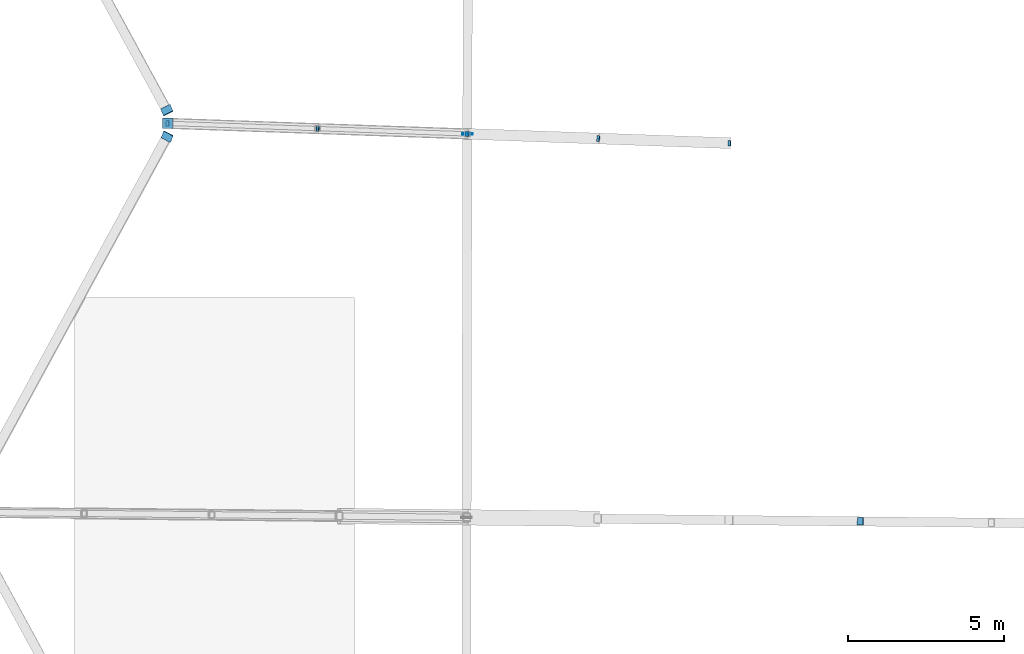
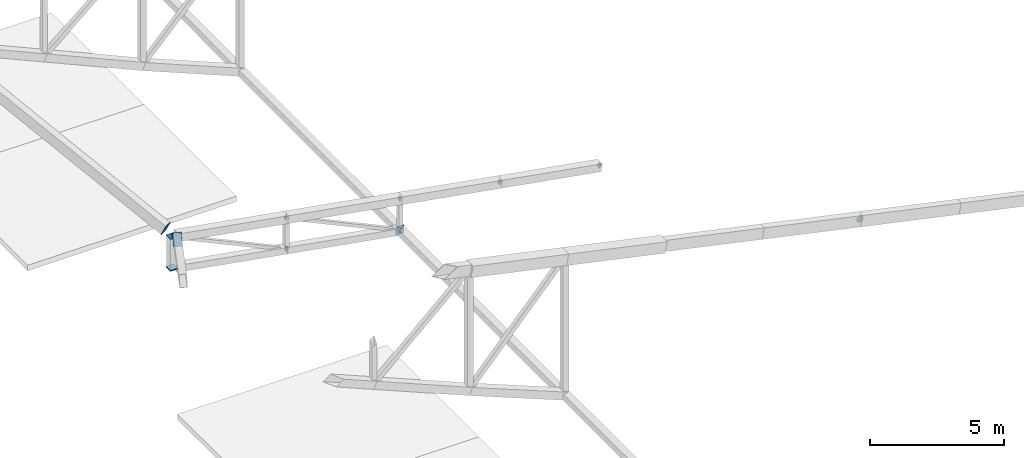
# One storey, part 138 of 188: 15 discrete accessories.
"""IFC4 building model written with IfcOpenShell, lengths in metres."""

import ifcopenshell
import ifcopenshell.guid

model = None  # the IFC model being written
_history = None  # IfcOwnerHistory: only IFC2X3 demands one
_inside = {}  # id of a spatial element -> (the spatial element, [elements in it])
_under = {}  # id of a project, library or spatial element -> (it, [spatial elements below it])
_declared = {}  # id of a project -> (the project, [libraries it declares])
_typed = {}  # id of a type object -> (the type object, [elements of that type])
_made_of = {}  # id of a material, layer set ... -> (it, [elements and type objects made of it])


def new_model(schema):
    """Start an empty IFC model of exactly this schema.

    Asked for "IFC4X3", IfcOpenShell would pick the latest addendum, in which some entities
    have other attributes; the version numbers below select the first issue.
    IFC2X3 requires an IfcOwnerHistory on every rooted entity: one is made here for all.
    """
    global model, _history
    if schema == "IFC4X3":
        model = ifcopenshell.file(schema_version=(4, 3, 0, 0))
    else:
        model = ifcopenshell.file(schema=schema)
    _inside.clear()
    _under.clear()
    _declared.clear()
    _typed.clear()
    _made_of.clear()
    _history = None
    if model.schema == "IFC2X3":
        org = make("IfcOrganization", Name="unknown")
        user = make(
            "IfcPersonAndOrganization",
            ThePerson=make("IfcPerson", FamilyName="unknown"),
            TheOrganization=org,
        )
        app = make(
            "IfcApplication",
            ApplicationDeveloper=org,
            Version="unknown",
            ApplicationFullName="unknown",
            ApplicationIdentifier="unknown",
        )
        _history = make(
            "IfcOwnerHistory",
            OwningUser=user,
            OwningApplication=app,
            ChangeAction="ADDED",
            CreationDate=0,
        )
    return model


def make(cls, **values):
    """One entity of the class cls with the attributes given. An attribute that is None is left unset."""
    return model.create_entity(
        cls, **{name: value for name, value in values.items() if value is not None}
    )


def rooted(cls, **values):
    """An entity with a GlobalId (a new one), such as an element, a storey or a relation."""
    return make(cls, GlobalId=ifcopenshell.guid.new(), OwnerHistory=_history, **values)


def si_unit(unit_type, name, prefix=None):
    """IfcSIUnit, for example si_unit("LENGTHUNIT", "METRE", prefix="MILLI")."""
    return make("IfcSIUnit", UnitType=unit_type, Prefix=prefix, Name=name)


def assignment(units):
    """IfcUnitAssignment: the units of a project."""
    return None if units is None else make("IfcUnitAssignment", Units=units)


def point(xyz):
    """IfcCartesianPoint."""
    return None if xyz is None else make("IfcCartesianPoint", Coordinates=xyz)


def direction(xyz):
    """IfcDirection."""
    return None if xyz is None else make("IfcDirection", DirectionRatios=xyz)


def frame(location, z_axis=None, x_axis=None):
    """IfcAxis2Placement3D, a coordinate frame: its origin and axes. An axis left out is left unset."""
    return make(
        "IfcAxis2Placement3D",
        Location=point(location),
        Axis=direction(z_axis),
        RefDirection=direction(x_axis),
    )


def frame_2d(location, x_axis=None):
    """IfcAxis2Placement2D, a coordinate frame in the plane: its origin and x axis."""
    return make(
        "IfcAxis2Placement2D", Location=point(location), RefDirection=direction(x_axis)
    )


def origin():
    """The frame at (0, 0, 0) with its axes left unset."""
    return frame((0.0, 0.0, 0.0))


def origin_2d():
    """The frame at (0, 0) in the plane with its x axis left unset."""
    return frame_2d((0.0, 0.0))


def place(relative_to, where):
    """IfcLocalPlacement: puts the frame where relative to a parent placement (None: the world)."""
    return make(
        "IfcLocalPlacement", PlacementRelTo=relative_to, RelativePlacement=where
    )


def context(
    kind, dimensions, precision=None, world=None, true_north=None, identifier=None
):
    """IfcGeometricRepresentationContext, for example the 3D "Model" context."""
    return make(
        "IfcGeometricRepresentationContext",
        ContextIdentifier=identifier,
        ContextType=kind,
        CoordinateSpaceDimension=dimensions,
        Precision=precision,
        WorldCoordinateSystem=world,
        TrueNorth=true_north,
    )


def subcontext(parent, identifier, kind, view, scale=None):
    """IfcGeometricRepresentationSubContext, for example "Body" below "Model"."""
    return make(
        "IfcGeometricRepresentationSubContext",
        ContextIdentifier=identifier,
        ContextType=kind,
        ParentContext=parent,
        TargetScale=scale,
        TargetView=view,
    )


def project(units=None, contexts=None):
    """IfcProject with its units and contexts."""
    return rooted(
        "IfcProject",
        Name="project",
        RepresentationContexts=contexts,
        UnitsInContext=assignment(units),
    )


def spatial(cls, under=None, at=None, **own):
    """A site, building, storey or space (cls), placed at a placement, below another one or the project."""
    s = rooted(cls, ObjectPlacement=at, **own)
    if under is not None:
        _under.setdefault(under.id(), (under, []))[1].append(s)
    return s


def profile(cls, at=None, kind="AREA", **sizes):
    """A parametric profile (cls). Its sizes go by their IFC names, for example OverallWidth=200.0."""
    return make(cls, ProfileType=kind, Position=at, **sizes)


def rectangle(**sizes):
    """IfcRectangleProfileDef."""
    return profile("IfcRectangleProfileDef", **sizes)


def extrude(swept, where, along, depth):
    """IfcExtrudedAreaSolid: the profile swept, set in the frame where, extruded along a direction by depth."""
    return make(
        "IfcExtrudedAreaSolid",
        SweptArea=swept,
        Position=where,
        ExtrudedDirection=direction(along),
        Depth=depth,
    )


def shape(context_of_items, identifier, shape_type, items):
    """IfcShapeRepresentation: the items that make up one representation, for example the "Body"."""
    return make(
        "IfcShapeRepresentation",
        ContextOfItems=context_of_items,
        RepresentationIdentifier=identifier,
        RepresentationType=shape_type,
        Items=items,
    )


def material(Name=None, Category=None):
    """IfcMaterial."""
    return make("IfcMaterial", Name=Name, Category=Category)


def material_profile(
    of_material, cross_section, Name=None, Category=None, Priority=None
):
    """IfcMaterialProfile: a cross section and its material."""
    return make(
        "IfcMaterialProfile",
        Name=Name,
        Material=of_material,
        Profile=cross_section,
        Priority=Priority,
        Category=Category,
    )


def profile_set(profiles, Name=None, composite=None):
    """IfcMaterialProfileSet."""
    return make(
        "IfcMaterialProfileSet",
        Name=Name,
        MaterialProfiles=profiles,
        CompositeProfile=composite,
    )


def made_of(thing, what):
    """Note that an element or type object is made of a material, layer set ...; save() writes the relation."""
    if what is not None:
        _made_of.setdefault(what.id(), (what, []))[1].append(thing)
    return thing


def type_object(cls, material=None, **own):
    """A type object (cls), such as IfcWallType, which elements share."""
    return made_of(rooted(cls, **own), material)


def element(
    cls,
    number,
    at=None,
    inside=None,
    cuts=None,
    type_object=None,
    material=None,
    context=None,
    identifier="Body",
    shape_type=None,
    held_by="IfcProductDefinitionShape",
    body=None,
    shapes=None,
    **own,
):
    """One element of the class cls, such as IfcWall. Its Tag is "e" and its number.

    at: its placement. inside: the storey or other place that contains it. cuts: it is an
    opening in that element (IfcRelVoidsElement). A single representation is given by context,
    identifier, shape_type and body (its items); several are given by shapes. held_by: the class
    of the entity that holds the representations. save() writes the other relations.
    """
    e = rooted(cls, Tag="e%d" % number, ObjectPlacement=at, **own)
    if body is not None:
        shapes = [shape(context, identifier, shape_type, body)]
    if shapes is not None:
        e.Representation = make(held_by, Representations=shapes)
    if inside is not None:
        _inside.setdefault(inside.id(), (inside, []))[1].append(e)
    if cuts is not None:
        rooted(
            "IfcRelVoidsElement", RelatingBuildingElement=cuts, RelatedOpeningElement=e
        )
    if type_object is not None:
        _typed.setdefault(type_object.id(), (type_object, []))[1].append(e)
    return made_of(e, material)


def aggregate(whole, parts):
    """IfcRelAggregates: a whole, such as a stair, and the parts it consists of."""
    return rooted("IfcRelAggregates", RelatingObject=whole, RelatedObjects=parts)


def save(model, path):
    """Write the relations noted so far, then the file.

    IfcRelAggregates (storeys below a building ...), IfcRelContainedInSpatialStructure (elements
    in a storey), IfcRelDefinesByType, IfcRelAssociatesMaterial and IfcRelDeclares: one each for
    every whole, place, type object, material and project.
    """
    for whole, parts in _under.values():
        aggregate(whole, parts)
    for where, things in _inside.values():
        rooted(
            "IfcRelContainedInSpatialStructure",
            RelatedElements=things,
            RelatingStructure=where,
        )
    for kind, things in _typed.values():
        rooted("IfcRelDefinesByType", RelatedObjects=things, RelatingType=kind)
    for what, things in _made_of.values():
        rooted("IfcRelAssociatesMaterial", RelatedObjects=things, RelatingMaterial=what)
    for by, libraries in _declared.values():
        rooted("IfcRelDeclares", RelatingContext=by, RelatedDefinitions=libraries)
    model.write(path)


model = new_model("IFC4")

# Units and contexts
model_context = context("Model", 3, precision=1e-05, world=origin(), true_north=direction((0.0, 1.0)))
body_context = subcontext(model_context, "Body", "Model", "MODEL_VIEW")
ifc_project = project(units=[si_unit("LENGTHUNIT", "METRE"), si_unit("AREAUNIT", "SQUARE_METRE"), si_unit("VOLUMEUNIT", "CUBIC_METRE"), si_unit("PLANEANGLEUNIT", "RADIAN"), si_unit("MASSUNIT", "GRAM", prefix="KILO")], contexts=[model_context])

# Site, building, storey
site_placement = place(None, origin())
site = spatial("IfcSite", under=ifc_project, at=site_placement, CompositionType="ELEMENT")
building_placement = place(site_placement, origin())
building = spatial("IfcBuilding", under=site, at=building_placement, Name="Meseta Stadium", CompositionType="ELEMENT")
storey_placement = place(building_placement, frame((0.0, 0.0, 30.0)))
storey = spatial("IfcBuildingStorey", under=building, at=storey_placement, Name="ROOF", CompositionType="ELEMENT", Elevation=30.0)

# Discrete accessories
ifc_material_1 = material(Name="Steel S355", Category="steel")
ifc_material_profile_1 = material_profile(ifc_material_1, rectangle(XDim=0.179931640625, YDim=0.179931640625, at=origin_2d()), Name="PL 180x180")
ifc_profile_set_1 = profile_set([ifc_material_profile_1], Name="Steel S355")
discrete_accessory_type_1 = type_object("IfcDiscreteAccessoryType", Name="End plate 180x180x20", PredefinedType="ANCHORPLATE", material=ifc_profile_set_1)
discrete_accessory_1_placement = place(storey_placement, frame((-76.533935546875, 18.11328125, 0.9619140625), z_axis=(-0.896262295257, 0.036832697065, 0.441992364784), x_axis=(-0.041061231452, -0.999156632001, 0.0)))
element("IfcDiscreteAccessory", 1, at=discrete_accessory_1_placement, inside=storey, type_object=discrete_accessory_type_1, Name="End plate of ROOF TRUSS RT-31 diagonal", PredefinedType="ANCHORPLATE", context=body_context, shape_type="SweptSolid", body=[
    extrude(rectangle(XDim=0.179931640625, YDim=0.179931640625, at=origin_2d()), origin(), (0.0, 0.0, 1.0), 0.019775390625),
])
discrete_accessory_2_placement = place(storey_placement, frame((-80.75341796875, 18.261962890625, 1.594970703125), z_axis=(-0.898638141175, 0.036431275994, 0.437175311923), x_axis=(-0.040507266643, -0.999179243854, 0.0)))
element("IfcDiscreteAccessory", 2, at=discrete_accessory_2_placement, inside=storey, type_object=discrete_accessory_type_1, Name="End plate of ROOF TRUSS RT-31 diagonal", PredefinedType="ANCHORPLATE", context=body_context, shape_type="SweptSolid", body=[
    extrude(rectangle(XDim=0.179931640625, YDim=0.179931640625, at=origin_2d()), origin(), (0.0, 0.0, 1.0), 0.02001953125),
])
discrete_accessory_3_placement = place(storey_placement, frame((-84.97314453125, 18.41064453125, 2.22802734375), z_axis=(-0.896262295257, 0.036832697065, 0.441992364784), x_axis=(-0.041061231452, -0.999156632001, 0.0)))
element("IfcDiscreteAccessory", 3, at=discrete_accessory_3_placement, inside=storey, type_object=discrete_accessory_type_1, Name="End plate of ROOF TRUSS RT-31 diagonal", PredefinedType="ANCHORPLATE", context=body_context, shape_type="SweptSolid", body=[
    extrude(rectangle(XDim=0.179931640625, YDim=0.179931640625, at=origin_2d()), origin(), (0.0, 0.0, 1.0), 0.019775390625),
])
discrete_accessory_4_placement = place(storey_placement, frame((-84.954833984375, 18.41015625, 0.791748046875), z_axis=(-0.910513391019, 0.024280357094, 0.412766070595), x_axis=(-0.026657190239, -0.999644633962, 0.0)))
element("IfcDiscreteAccessory", 4, at=discrete_accessory_4_placement, inside=storey, type_object=discrete_accessory_type_1, Name="End plate of ROOF TRUSS RT-31 diagonal", PredefinedType="ANCHORPLATE", context=body_context, shape_type="SweptSolid", body=[
    extrude(rectangle(XDim=0.179931640625, YDim=0.179931640625, at=origin_2d()), origin(), (0.0, 0.0, 1.0), 0.02001953125),
])
discrete_accessory_5_placement = place(storey_placement, frame((-89.78662109375, 18.580322265625, 2.9501953125), z_axis=(-0.90806090779, 0.036813280046, 0.41721717385), x_axis=(-0.040507266643, -0.999179243854, 0.0)))
element("IfcDiscreteAccessory", 5, at=discrete_accessory_5_placement, inside=storey, type_object=discrete_accessory_type_1, Name="End plate of ROOF TRUSS RT-31 diagonal", PredefinedType="ANCHORPLATE", context=body_context, shape_type="SweptSolid", body=[
    extrude(rectangle(XDim=0.179931640625, YDim=0.179931640625, at=origin_2d()), origin(), (0.0, 0.0, 1.0), 0.019775390625),
])
discrete_accessory_6_placement = place(storey_placement, frame((-89.768310546875, 18.57958984375, 1.51416015625), z_axis=(-0.914702166581, 0.036588086663, 0.402468953296), x_axis=(-0.039968038349, -0.999200958722, 0.0)))
element("IfcDiscreteAccessory", 6, at=discrete_accessory_6_placement, inside=storey, type_object=discrete_accessory_type_1, Name="End plate of ROOF TRUSS RT-31 diagonal", PredefinedType="ANCHORPLATE", context=body_context, shape_type="SweptSolid", body=[
    extrude(rectangle(XDim=0.179931640625, YDim=0.179931640625, at=origin_2d()), origin(), (0.0, 0.0, 1.0), 0.02001953125),
])
discrete_accessory_7_placement = place(storey_placement, frame((-94.60009765625, 18.75, 3.67236328125), z_axis=(-0.90806090779, 0.036813280046, 0.41721717385), x_axis=(-0.040507266643, -0.999179243854, 0.0)))
element("IfcDiscreteAccessory", 7, at=discrete_accessory_7_placement, inside=storey, type_object=discrete_accessory_type_1, Name="End plate of ROOF TRUSS RT-31 diagonal", PredefinedType="ANCHORPLATE", context=body_context, shape_type="SweptSolid", body=[
    extrude(rectangle(XDim=0.179931640625, YDim=0.179931640625, at=origin_2d()), origin(), (0.0, 0.0, 1.0), 0.019775390625),
])
ifc_material_2 = material(Name="Steel S355", Category="steel")
ifc_material_profile_2 = material_profile(ifc_material_2, rectangle(XDim=0.239990234375, YDim=0.239990234375, at=origin_2d()), Name="PL 240x240")
ifc_profile_set_2 = profile_set([ifc_material_profile_2], Name="Steel S355")
discrete_accessory_type_2 = type_object("IfcDiscreteAccessoryType", Name="End plate 240x240x20", PredefinedType="ANCHORPLATE", material=ifc_profile_set_2)
discrete_accessory_8_placement = place(storey_placement, frame((-72.33154296875, 5.951171875, 4.411376953125), z_axis=(-0.643714145309, 0.012145549911, 0.765169644423), x_axis=(-0.018864566948, -0.999822048224, 0.0)))
element("IfcDiscreteAccessory", 8, at=discrete_accessory_8_placement, inside=storey, type_object=discrete_accessory_type_2, Name="End plate of ROOF TRUSS RT-32 diagonal", PredefinedType="ANCHORPLATE", context=body_context, shape_type="SweptSolid", body=[
    extrude(rectangle(XDim=0.239990234375, YDim=0.239990234375, at=origin_2d()), origin(), (0.0, 0.0, 1.0), 0.02001953125),
])
ifc_material_3 = material(Name="Steel S355", Category="steel")
ifc_material_profile_3 = material_profile(ifc_material_3, rectangle(XDim=0.340087890625, YDim=0.340087890625, at=origin_2d()), Name="PL 340x340")
ifc_profile_set_3 = profile_set([ifc_material_profile_3], Name="Steel S355")
discrete_accessory_type_3 = type_object("IfcDiscreteAccessoryType", Name="End plate 340x340x20", PredefinedType="ANCHORPLATE", material=ifc_profile_set_3)
for number, where, z_axis, x_axis, name in (
    (9, (-94.60009765625, 18.75, 2.224365234375), (0.0, 0.0, 1.0), (1.0, 0.0, 0.0), "End plate of ROOF TRUSS RT-31 post"),
    (10, (-94.60009765625, 18.75, 3.67236328125), (0.0, 0.0, 1.0), (1.0, 0.0, 0.0), "End plate of ROOF TRUSS RT-31 post"),
    (11, (-94.60009765625, 18.75, 2.244384765625), (0.0, 0.0, 1.0), (1.0, 0.0, 0.0), "End plate of ROOF RIM POST RT-31"),
    (12, (-84.97314453125, 18.41064453125, 0.800048828125), (0.0, -1.0, 0.0), (1.0, 0.0, 0.0), "End plate of ROOF PIVOT STRUT RT-30/31"),
    (13, (-84.97314453125, 18.4306640625, 0.800048828125), (0.0, -1.0, 0.0), (1.0, 0.0, 0.0), "End plate of ROOF PIVOT STRUT RT-31/32"),
):
    element("IfcDiscreteAccessory", number, at=place(storey_placement, frame(where, z_axis=z_axis, x_axis=x_axis)), inside=storey, type_object=discrete_accessory_type_3, Name=name, PredefinedType="ANCHORPLATE", context=body_context, shape_type="SweptSolid", body=[
        extrude(rectangle(XDim=0.340087890625, YDim=0.340087890625, at=origin_2d()), origin(), (0.0, 0.0, 1.0), 0.02001953125),
    ])
ifc_material_4 = material(Name="Steel S355", Category="steel")
ifc_material_profile_4 = material_profile(ifc_material_4, rectangle(XDim=0.340087890625, YDim=0.5400390625, at=origin_2d()), Name="PL 340x540")
ifc_profile_set_4 = profile_set([ifc_material_profile_4], Name="Steel S355")
discrete_accessory_type_4 = type_object("IfcDiscreteAccessoryType", Name="End plate 340x540x20", PredefinedType="ANCHORPLATE", material=ifc_profile_set_4)
for number, where, z_axis, x_axis, name in (
    (14, (-94.638916015625, 19.1806640625, 3.787109375), (0.428393042953, -0.795587079771, -0.428393042953), (0.887801447532, 0.458842666708, 0.035665066502), "End plate of RIM RING BEAM 31"),
    (15, (-94.61767578125, 18.33056640625, 3.782470703125), (-0.438307934267, -0.79138932576, 0.426132713871), (0.886194485265, -0.459694396046, 0.057796163615), "End plate of RIM RING BEAM 32"),
):
    element("IfcDiscreteAccessory", number, at=place(storey_placement, frame(where, z_axis=z_axis, x_axis=x_axis)), inside=storey, type_object=discrete_accessory_type_4, Name=name, PredefinedType="ANCHORPLATE", context=body_context, shape_type="SweptSolid", body=[
        extrude(rectangle(XDim=0.340087890625, YDim=0.5400390625, at=origin_2d()), origin(), (0.0, 0.0, 1.0), 0.02001953125),
    ])

save(model, "model.ifc")
